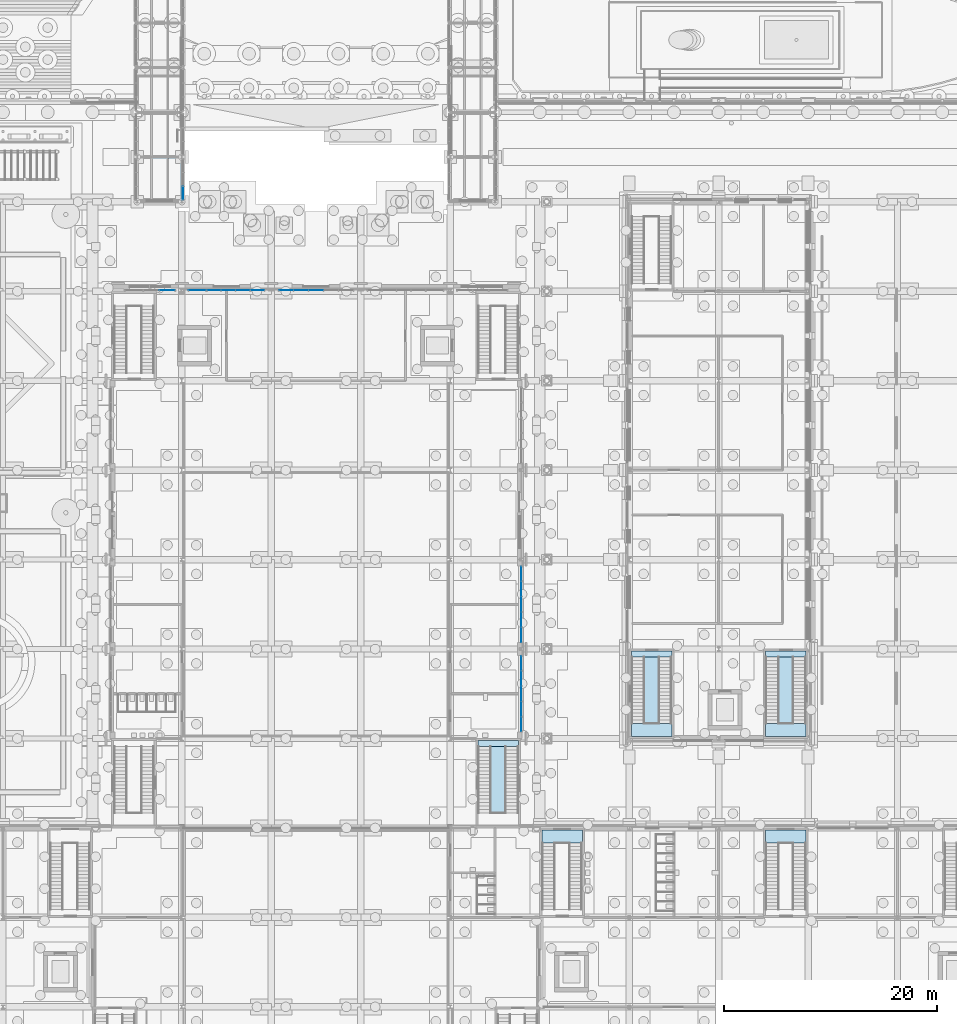
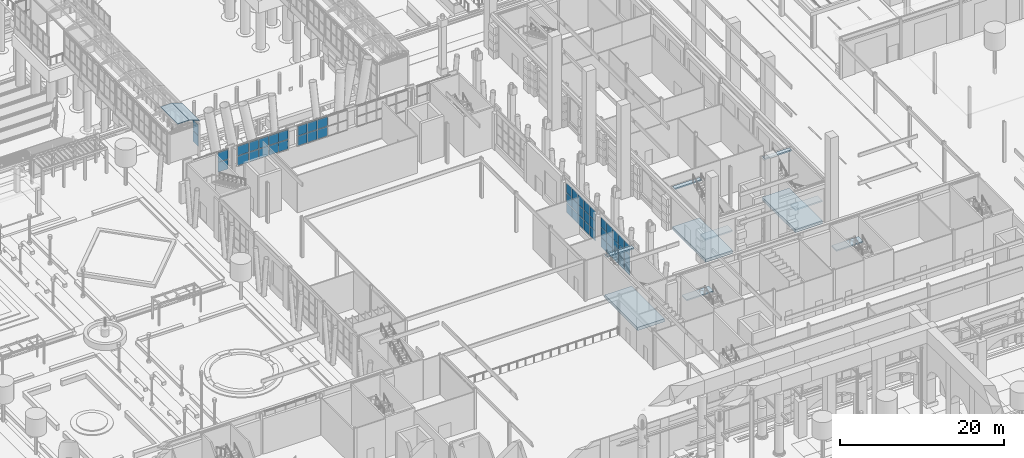
# One storey, part 79 of 222: 50 plates, 12 slabs, 12 elements without a shape of their own.
"""IFC4 building model written with IfcOpenShell, lengths in metres."""

from ifc_helpers import new_model, si_unit, direction, frame, origin, origin_2d, place, context, subcontext, project, spatial, polyline, rectangle, outline, extrude, material, layer, layer_set, type_object, element, aggregate, save


model = new_model("IFC4")

# Units and contexts
model_context = context("Model", 3, precision=1e-05, world=origin(), true_north=direction((0.0, 1.0)))
body_context = subcontext(model_context, "Body", "Model", "MODEL_VIEW")
ifc_project = project(units=[si_unit("LENGTHUNIT", "METRE"), si_unit("AREAUNIT", "SQUARE_METRE"), si_unit("VOLUMEUNIT", "CUBIC_METRE"), si_unit("PLANEANGLEUNIT", "RADIAN"), si_unit("MASSUNIT", "GRAM", prefix="KILO")], contexts=[model_context])

# Site, building, storey
site_placement = place(None, origin())
site = spatial("IfcSite", under=ifc_project, at=site_placement, CompositionType="ELEMENT")
building_placement = place(site_placement, origin())
building = spatial("IfcBuilding", under=site, at=building_placement, Name="Sava Quay Ferry Terminal", CompositionType="ELEMENT")
storey_placement = place(building_placement, origin())
storey = spatial("IfcBuildingStorey", under=building, at=storey_placement, Name="L00", CompositionType="ELEMENT", Elevation=0.0)

# Curtain wall, plates
ifc_material_1 = material(Name="Aluminium and glass curtain wall, double glazed", Category="aluminium")
curtain_wall_type_1 = type_object("IfcCurtainWallType", Name="Curtain wall CW-B gallery", PredefinedType="NOTDEFINED", material=ifc_material_1)
curtain_wall_1_placement = place(storey_placement, origin())
curtain_wall_1 = element("IfcCurtainWall", 1, at=curtain_wall_1_placement, inside=storey, type_object=curtain_wall_type_1, Name="Curtain wall B1-E L00 bay 1", PredefinedType="NOTDEFINED")
ifc_material_2 = material(Name="Laminated glass, double glazed unit", Category="glass")
ifc_layer_1 = layer(ifc_material_2, 0.02392578125)
ifc_layer_set_1 = layer_set([ifc_layer_1], Name="Laminated glass, double glazed unit")
plate_type_1 = type_object("IfcPlateType", Name="Glass panel 24 double", PredefinedType="CURTAIN_PANEL", material=ifc_layer_set_1)
plate_1_placement = place(storey_placement, frame((50.5, 110.012451171875, 0.9501953125), z_axis=(0.0, 0.0, 1.0), x_axis=(0.0, 1.0, 0.0)))
plate_1 = element("IfcPlate", 2, at=plate_1_placement, type_object=plate_type_1, Name="CW1 panel 1.1", PredefinedType="CURTAIN_PANEL", context=body_context, shape_type="SweptSolid", body=[
    extrude(rectangle(XDim=1.22509765625, YDim=0.02392578125, at=origin_2d()), origin(), (0.0, 0.0, 1.0), 1.574951171875),
])
plate_2_placement = place(storey_placement, frame((50.5, 110.012451171875, 2.5751953125), z_axis=(0.0, 0.0, 1.0), x_axis=(0.0, 1.0, 0.0)))
plate_2 = element("IfcPlate", 3, at=plate_2_placement, type_object=plate_type_1, Name="CW1 panel 1.2", PredefinedType="CURTAIN_PANEL", context=body_context, shape_type="SweptSolid", body=[
    extrude(rectangle(XDim=1.22509765625, YDim=0.02392578125, at=origin_2d()), origin(), (0.0, 0.0, 1.0), 1.574951171875),
])
aggregate(curtain_wall_1, [plate_1, plate_2])

ifc_material_3 = material(Name="Aluminium and glass curtain wall, double low-e glazed", Category="aluminium")
curtain_wall_type_2 = type_object("IfcCurtainWallType", Name="Curtain wall CW-F flank", PredefinedType="NOTDEFINED", material=ifc_material_3)
curtain_wall_2_placement = place(storey_placement, origin())
curtain_wall_2 = element("IfcCurtainWall", 4, at=curtain_wall_2_placement, inside=storey, type_object=curtain_wall_type_2, Name="Curtain wall D-E L00 bay 2", PredefinedType="NOTDEFINED")
ifc_material_4 = material(Name="Laminated glass, double low-e glazed unit", Category="glass")
ifc_layer_2 = layer(ifc_material_4, 0.028076171875)
ifc_layer_set_2 = layer_set([ifc_layer_2], Name="Laminated glass, double low-e glazed unit")
plate_type_2 = type_object("IfcPlateType", Name="Glass panel 28 double low-e", PredefinedType="CURTAIN_PANEL", material=ifc_layer_set_2)
plate_3_placement = place(storey_placement, frame((82.27490234375, 60.135009765625, 0.9501953125), z_axis=(0.0, 0.0, 1.0), x_axis=(0.0, 1.0, 0.0)))
plate_3 = element("IfcPlate", 5, at=plate_3_placement, type_object=plate_type_2, Name="CW40 panel 1.1", PredefinedType="CURTAIN_PANEL", context=body_context, shape_type="SweptSolid", body=[
    extrude(rectangle(XDim=1.35009765625, YDim=0.028076171875, at=origin_2d()), origin(), (0.0, 0.0, 1.0), 1.425048828125),
])
plate_4_placement = place(storey_placement, frame((82.27490234375, 60.135009765625, 2.4248046875), z_axis=(0.0, 0.0, 1.0), x_axis=(0.0, 1.0, 0.0)))
plate_4 = element("IfcPlate", 6, at=plate_4_placement, type_object=plate_type_2, Name="CW40 panel 1.2", PredefinedType="CURTAIN_PANEL", context=body_context, shape_type="SweptSolid", body=[
    extrude(rectangle(XDim=1.35009765625, YDim=0.028076171875, at=origin_2d()), origin(), (0.0, 0.0, 1.0), 1.449951171875),
])
plate_5_placement = place(storey_placement, frame((82.27490234375, 60.135009765625, 3.9248046875), z_axis=(0.0, 0.0, 1.0), x_axis=(0.0, 1.0, 0.0)))
plate_5 = element("IfcPlate", 7, at=plate_5_placement, type_object=plate_type_2, Name="CW40 panel 1.3", PredefinedType="CURTAIN_PANEL", context=body_context, shape_type="SweptSolid", body=[
    extrude(rectangle(XDim=1.35009765625, YDim=0.028076171875, at=origin_2d()), origin(), (0.0, 0.0, 1.0), 1.425048828125),
])
plate_6_placement = place(storey_placement, frame((82.27490234375, 61.56005859375, 0.9501953125), z_axis=(0.0, 0.0, 1.0), x_axis=(0.0, 1.0, 0.0)))
plate_6 = element("IfcPlate", 8, at=plate_6_placement, type_object=plate_type_2, Name="CW40 panel 2.1", PredefinedType="CURTAIN_PANEL", context=body_context, shape_type="SweptSolid", body=[
    extrude(rectangle(XDim=1.3798828125, YDim=0.028076171875, at=origin_2d()), origin(), (0.0, 0.0, 1.0), 1.425048828125),
])
plate_7_placement = place(storey_placement, frame((82.27490234375, 61.56005859375, 2.4248046875), z_axis=(0.0, 0.0, 1.0), x_axis=(0.0, 1.0, 0.0)))
plate_7 = element("IfcPlate", 9, at=plate_7_placement, type_object=plate_type_2, Name="CW40 panel 2.2", PredefinedType="CURTAIN_PANEL", context=body_context, shape_type="SweptSolid", body=[
    extrude(rectangle(XDim=1.3798828125, YDim=0.028076171875, at=origin_2d()), origin(), (0.0, 0.0, 1.0), 1.449951171875),
])
plate_8_placement = place(storey_placement, frame((82.27490234375, 61.56005859375, 3.9248046875), z_axis=(0.0, 0.0, 1.0), x_axis=(0.0, 1.0, 0.0)))
plate_8 = element("IfcPlate", 10, at=plate_8_placement, type_object=plate_type_2, Name="CW40 panel 2.3", PredefinedType="CURTAIN_PANEL", context=body_context, shape_type="SweptSolid", body=[
    extrude(rectangle(XDim=1.3798828125, YDim=0.028076171875, at=origin_2d()), origin(), (0.0, 0.0, 1.0), 1.425048828125),
])
plate_9_placement = place(storey_placement, frame((82.27490234375, 63.0, 0.9501953125), z_axis=(0.0, 0.0, 1.0), x_axis=(0.0, 1.0, 0.0)))
plate_9 = element("IfcPlate", 11, at=plate_9_placement, type_object=plate_type_2, Name="CW40 panel 3.1", PredefinedType="CURTAIN_PANEL", context=body_context, shape_type="SweptSolid", body=[
    extrude(rectangle(XDim=1.3798828125, YDim=0.028076171875, at=origin_2d()), origin(), (0.0, 0.0, 1.0), 1.425048828125),
])
plate_10_placement = place(storey_placement, frame((82.27490234375, 63.0, 2.4248046875), z_axis=(0.0, 0.0, 1.0), x_axis=(0.0, 1.0, 0.0)))
plate_10 = element("IfcPlate", 12, at=plate_10_placement, type_object=plate_type_2, Name="CW40 panel 3.2", PredefinedType="CURTAIN_PANEL", context=body_context, shape_type="SweptSolid", body=[
    extrude(rectangle(XDim=1.3798828125, YDim=0.028076171875, at=origin_2d()), origin(), (0.0, 0.0, 1.0), 1.449951171875),
])
plate_11_placement = place(storey_placement, frame((82.27490234375, 63.0, 3.9248046875), z_axis=(0.0, 0.0, 1.0), x_axis=(0.0, 1.0, 0.0)))
plate_11 = element("IfcPlate", 13, at=plate_11_placement, type_object=plate_type_2, Name="CW40 panel 3.3", PredefinedType="CURTAIN_PANEL", context=body_context, shape_type="SweptSolid", body=[
    extrude(rectangle(XDim=1.3798828125, YDim=0.028076171875, at=origin_2d()), origin(), (0.0, 0.0, 1.0), 1.425048828125),
])
plate_12_placement = place(storey_placement, frame((82.27490234375, 64.43994140625, 0.9501953125), z_axis=(0.0, 0.0, 1.0), x_axis=(0.0, 1.0, 0.0)))
plate_12 = element("IfcPlate", 14, at=plate_12_placement, type_object=plate_type_2, Name="CW40 panel 4.1", PredefinedType="CURTAIN_PANEL", context=body_context, shape_type="SweptSolid", body=[
    extrude(rectangle(XDim=1.3798828125, YDim=0.028076171875, at=origin_2d()), origin(), (0.0, 0.0, 1.0), 1.425048828125),
])
plate_13_placement = place(storey_placement, frame((82.27490234375, 64.43994140625, 2.4248046875), z_axis=(0.0, 0.0, 1.0), x_axis=(0.0, 1.0, 0.0)))
plate_13 = element("IfcPlate", 15, at=plate_13_placement, type_object=plate_type_2, Name="CW40 panel 4.2", PredefinedType="CURTAIN_PANEL", context=body_context, shape_type="SweptSolid", body=[
    extrude(rectangle(XDim=1.3798828125, YDim=0.028076171875, at=origin_2d()), origin(), (0.0, 0.0, 1.0), 1.449951171875),
])
plate_14_placement = place(storey_placement, frame((82.27490234375, 64.43994140625, 3.9248046875), z_axis=(0.0, 0.0, 1.0), x_axis=(0.0, 1.0, 0.0)))
plate_14 = element("IfcPlate", 16, at=plate_14_placement, type_object=plate_type_2, Name="CW40 panel 4.3", PredefinedType="CURTAIN_PANEL", context=body_context, shape_type="SweptSolid", body=[
    extrude(rectangle(XDim=1.3798828125, YDim=0.028076171875, at=origin_2d()), origin(), (0.0, 0.0, 1.0), 1.425048828125),
])
plate_15_placement = place(storey_placement, frame((82.27490234375, 65.864990234375, 0.9501953125), z_axis=(0.0, 0.0, 1.0), x_axis=(0.0, 1.0, 0.0)))
plate_15 = element("IfcPlate", 17, at=plate_15_placement, type_object=plate_type_2, Name="CW40 panel 5.1", PredefinedType="CURTAIN_PANEL", context=body_context, shape_type="SweptSolid", body=[
    extrude(rectangle(XDim=1.35009765625, YDim=0.028076171875, at=origin_2d()), origin(), (0.0, 0.0, 1.0), 1.425048828125),
])
plate_16_placement = place(storey_placement, frame((82.27490234375, 65.864990234375, 2.4248046875), z_axis=(0.0, 0.0, 1.0), x_axis=(0.0, 1.0, 0.0)))
plate_16 = element("IfcPlate", 18, at=plate_16_placement, type_object=plate_type_2, Name="CW40 panel 5.2", PredefinedType="CURTAIN_PANEL", context=body_context, shape_type="SweptSolid", body=[
    extrude(rectangle(XDim=1.35009765625, YDim=0.028076171875, at=origin_2d()), origin(), (0.0, 0.0, 1.0), 1.449951171875),
])
plate_17_placement = place(storey_placement, frame((82.27490234375, 65.864990234375, 3.9248046875), z_axis=(0.0, 0.0, 1.0), x_axis=(0.0, 1.0, 0.0)))
plate_17 = element("IfcPlate", 19, at=plate_17_placement, type_object=plate_type_2, Name="CW40 panel 5.3", PredefinedType="CURTAIN_PANEL", context=body_context, shape_type="SweptSolid", body=[
    extrude(rectangle(XDim=1.35009765625, YDim=0.028076171875, at=origin_2d()), origin(), (0.0, 0.0, 1.0), 1.425048828125),
])
aggregate(curtain_wall_2, [plate_3, plate_4, plate_5, plate_6, plate_7, plate_8, plate_9, plate_10, plate_11, plate_12, plate_13, plate_14, plate_15, plate_16, plate_17])

curtain_wall_3_placement = place(storey_placement, origin())
curtain_wall_3 = element("IfcCurtainWall", 20, at=curtain_wall_3_placement, inside=storey, type_object=curtain_wall_type_2, Name="Curtain wall D-E L00 bay 3", PredefinedType="NOTDEFINED")
plate_18_placement = place(storey_placement, frame((82.27490234375, 68.534912109375, 0.9501953125), z_axis=(0.0, 0.0, 1.0), x_axis=(0.0, 1.0, 0.0)))
plate_18 = element("IfcPlate", 21, at=plate_18_placement, type_object=plate_type_2, Name="CW44 panel 1.1", PredefinedType="CURTAIN_PANEL", context=body_context, shape_type="SweptSolid", body=[
    extrude(rectangle(XDim=1.35009765625, YDim=0.028076171875, at=origin_2d()), origin(), (0.0, 0.0, 1.0), 1.425048828125),
])
plate_19_placement = place(storey_placement, frame((82.27490234375, 68.534912109375, 2.4248046875), z_axis=(0.0, 0.0, 1.0), x_axis=(0.0, 1.0, 0.0)))
plate_19 = element("IfcPlate", 22, at=plate_19_placement, type_object=plate_type_2, Name="CW44 panel 1.2", PredefinedType="CURTAIN_PANEL", context=body_context, shape_type="SweptSolid", body=[
    extrude(rectangle(XDim=1.35009765625, YDim=0.028076171875, at=origin_2d()), origin(), (0.0, 0.0, 1.0), 1.449951171875),
])
plate_20_placement = place(storey_placement, frame((82.27490234375, 68.534912109375, 3.9248046875), z_axis=(0.0, 0.0, 1.0), x_axis=(0.0, 1.0, 0.0)))
plate_20 = element("IfcPlate", 23, at=plate_20_placement, type_object=plate_type_2, Name="CW44 panel 1.3", PredefinedType="CURTAIN_PANEL", context=body_context, shape_type="SweptSolid", body=[
    extrude(rectangle(XDim=1.35009765625, YDim=0.028076171875, at=origin_2d()), origin(), (0.0, 0.0, 1.0), 1.425048828125),
])
plate_21_placement = place(storey_placement, frame((82.27490234375, 69.9599609375, 0.9501953125), z_axis=(0.0, 0.0, 1.0), x_axis=(0.0, 1.0, 0.0)))
plate_21 = element("IfcPlate", 24, at=plate_21_placement, type_object=plate_type_2, Name="CW44 panel 2.1", PredefinedType="CURTAIN_PANEL", context=body_context, shape_type="SweptSolid", body=[
    extrude(rectangle(XDim=1.3798828125, YDim=0.028076171875, at=origin_2d()), origin(), (0.0, 0.0, 1.0), 1.425048828125),
])
plate_22_placement = place(storey_placement, frame((82.27490234375, 69.9599609375, 2.4248046875), z_axis=(0.0, 0.0, 1.0), x_axis=(0.0, 1.0, 0.0)))
plate_22 = element("IfcPlate", 25, at=plate_22_placement, type_object=plate_type_2, Name="CW44 panel 2.2", PredefinedType="CURTAIN_PANEL", context=body_context, shape_type="SweptSolid", body=[
    extrude(rectangle(XDim=1.3798828125, YDim=0.028076171875, at=origin_2d()), origin(), (0.0, 0.0, 1.0), 1.449951171875),
])
plate_23_placement = place(storey_placement, frame((82.27490234375, 69.9599609375, 3.9248046875), z_axis=(0.0, 0.0, 1.0), x_axis=(0.0, 1.0, 0.0)))
plate_23 = element("IfcPlate", 26, at=plate_23_placement, type_object=plate_type_2, Name="CW44 panel 2.3", PredefinedType="CURTAIN_PANEL", context=body_context, shape_type="SweptSolid", body=[
    extrude(rectangle(XDim=1.3798828125, YDim=0.028076171875, at=origin_2d()), origin(), (0.0, 0.0, 1.0), 1.425048828125),
])
plate_24_placement = place(storey_placement, frame((82.27490234375, 71.39990234375, 0.9501953125), z_axis=(0.0, 0.0, 1.0), x_axis=(0.0, 1.0, 0.0)))
plate_24 = element("IfcPlate", 27, at=plate_24_placement, type_object=plate_type_2, Name="CW44 panel 3.1", PredefinedType="CURTAIN_PANEL", context=body_context, shape_type="SweptSolid", body=[
    extrude(rectangle(XDim=1.3798828125, YDim=0.028076171875, at=origin_2d()), origin(), (0.0, 0.0, 1.0), 1.425048828125),
])
plate_25_placement = place(storey_placement, frame((82.27490234375, 71.39990234375, 2.4248046875), z_axis=(0.0, 0.0, 1.0), x_axis=(0.0, 1.0, 0.0)))
plate_25 = element("IfcPlate", 28, at=plate_25_placement, type_object=plate_type_2, Name="CW44 panel 3.2", PredefinedType="CURTAIN_PANEL", context=body_context, shape_type="SweptSolid", body=[
    extrude(rectangle(XDim=1.3798828125, YDim=0.028076171875, at=origin_2d()), origin(), (0.0, 0.0, 1.0), 1.449951171875),
])
plate_26_placement = place(storey_placement, frame((82.27490234375, 71.39990234375, 3.9248046875), z_axis=(0.0, 0.0, 1.0), x_axis=(0.0, 1.0, 0.0)))
plate_26 = element("IfcPlate", 29, at=plate_26_placement, type_object=plate_type_2, Name="CW44 panel 3.3", PredefinedType="CURTAIN_PANEL", context=body_context, shape_type="SweptSolid", body=[
    extrude(rectangle(XDim=1.3798828125, YDim=0.028076171875, at=origin_2d()), origin(), (0.0, 0.0, 1.0), 1.425048828125),
])
plate_27_placement = place(storey_placement, frame((82.27490234375, 72.840087890625, 0.9501953125), z_axis=(0.0, 0.0, 1.0), x_axis=(0.0, 1.0, 0.0)))
plate_27 = element("IfcPlate", 30, at=plate_27_placement, type_object=plate_type_2, Name="CW44 panel 4.1", PredefinedType="CURTAIN_PANEL", context=body_context, shape_type="SweptSolid", body=[
    extrude(rectangle(XDim=1.3798828125, YDim=0.028076171875, at=origin_2d()), origin(), (0.0, 0.0, 1.0), 1.425048828125),
])
plate_28_placement = place(storey_placement, frame((82.27490234375, 72.840087890625, 2.4248046875), z_axis=(0.0, 0.0, 1.0), x_axis=(0.0, 1.0, 0.0)))
plate_28 = element("IfcPlate", 31, at=plate_28_placement, type_object=plate_type_2, Name="CW44 panel 4.2", PredefinedType="CURTAIN_PANEL", context=body_context, shape_type="SweptSolid", body=[
    extrude(rectangle(XDim=1.3798828125, YDim=0.028076171875, at=origin_2d()), origin(), (0.0, 0.0, 1.0), 1.449951171875),
])
plate_29_placement = place(storey_placement, frame((82.27490234375, 72.840087890625, 3.9248046875), z_axis=(0.0, 0.0, 1.0), x_axis=(0.0, 1.0, 0.0)))
plate_29 = element("IfcPlate", 32, at=plate_29_placement, type_object=plate_type_2, Name="CW44 panel 4.3", PredefinedType="CURTAIN_PANEL", context=body_context, shape_type="SweptSolid", body=[
    extrude(rectangle(XDim=1.3798828125, YDim=0.028076171875, at=origin_2d()), origin(), (0.0, 0.0, 1.0), 1.425048828125),
])
plate_30_placement = place(storey_placement, frame((82.27490234375, 74.264892578125, 0.9501953125), z_axis=(0.0, 0.0, 1.0), x_axis=(0.0, 1.0, 0.0)))
plate_30 = element("IfcPlate", 33, at=plate_30_placement, type_object=plate_type_2, Name="CW44 panel 5.1", PredefinedType="CURTAIN_PANEL", context=body_context, shape_type="SweptSolid", body=[
    extrude(rectangle(XDim=1.35009765625, YDim=0.028076171875, at=origin_2d()), origin(), (0.0, 0.0, 1.0), 1.425048828125),
])
plate_31_placement = place(storey_placement, frame((82.27490234375, 74.264892578125, 2.4248046875), z_axis=(0.0, 0.0, 1.0), x_axis=(0.0, 1.0, 0.0)))
plate_31 = element("IfcPlate", 34, at=plate_31_placement, type_object=plate_type_2, Name="CW44 panel 5.2", PredefinedType="CURTAIN_PANEL", context=body_context, shape_type="SweptSolid", body=[
    extrude(rectangle(XDim=1.35009765625, YDim=0.028076171875, at=origin_2d()), origin(), (0.0, 0.0, 1.0), 1.449951171875),
])
plate_32_placement = place(storey_placement, frame((82.27490234375, 74.264892578125, 3.9248046875), z_axis=(0.0, 0.0, 1.0), x_axis=(0.0, 1.0, 0.0)))
plate_32 = element("IfcPlate", 35, at=plate_32_placement, type_object=plate_type_2, Name="CW44 panel 5.3", PredefinedType="CURTAIN_PANEL", context=body_context, shape_type="SweptSolid", body=[
    extrude(rectangle(XDim=1.35009765625, YDim=0.028076171875, at=origin_2d()), origin(), (0.0, 0.0, 1.0), 1.425048828125),
])
aggregate(curtain_wall_3, [plate_18, plate_19, plate_20, plate_21, plate_22, plate_23, plate_24, plate_25, plate_26, plate_27, plate_28, plate_29, plate_30, plate_31, plate_32])

ifc_material_5 = material(Name="Aluminium and glass curtain wall, double low-e glazed", Category="aluminium")
curtain_wall_type_3 = type_object("IfcCurtainWallType", Name="Curtain wall CW-G gable", PredefinedType="NOTDEFINED", material=ifc_material_5)
curtain_wall_4_placement = place(storey_placement, origin())
curtain_wall_4 = element("IfcCurtainWall", 36, at=curtain_wall_4_placement, inside=storey, type_object=curtain_wall_type_3, Name="Curtain wall D-N L00 bay 11", PredefinedType="NOTDEFINED")
plate_33_placement = place(storey_placement, frame((49.030029296875, 100.885009765625, 3.0498046875), z_axis=(0.0, 0.0, 1.0), x_axis=(1.0, 0.0, 0.0)))
plate_33 = element("IfcPlate", 37, at=plate_33_placement, type_object=plate_type_2, Name="CW57 panel 2.1", PredefinedType="CURTAIN_PANEL", context=body_context, shape_type="SweptSolid", body=[
    extrude(rectangle(XDim=1.419921875, YDim=0.028076171875, at=origin_2d()), origin(), (0.0, 0.0, 1.0), 1.425048828125),
])
plate_34_placement = place(storey_placement, frame((49.030029296875, 100.885009765625, 4.52490234375), z_axis=(0.0, 0.0, 1.0), x_axis=(1.0, 0.0, 0.0)))
plate_34 = element("IfcPlate", 38, at=plate_34_placement, type_object=plate_type_2, Name="CW57 panel 2.2", PredefinedType="CURTAIN_PANEL", context=body_context, shape_type="SweptSolid", body=[
    extrude(rectangle(XDim=1.419921875, YDim=0.028076171875, at=origin_2d()), origin(), (0.0, 0.0, 1.0), 1.425048828125),
])
aggregate(curtain_wall_4, [plate_33, plate_34])

curtain_wall_5_placement = place(storey_placement, origin())
curtain_wall_5 = element("IfcCurtainWall", 39, at=curtain_wall_5_placement, inside=storey, type_object=curtain_wall_type_3, Name="Curtain wall D-N L00 bay 12", PredefinedType="NOTDEFINED")
plate_35_placement = place(storey_placement, frame((51.85009765625, 100.885009765625, 3.0498046875), z_axis=(0.0, 0.0, 1.0), x_axis=(1.0, 0.0, 0.0)))
plate_35 = element("IfcPlate", 40, at=plate_35_placement, type_object=plate_type_2, Name="CW61 panel 1.1", PredefinedType="CURTAIN_PANEL", context=body_context, shape_type="SweptSolid", body=[
    extrude(rectangle(XDim=1.580078125, YDim=0.028076171875, at=origin_2d()), origin(), (0.0, 0.0, 1.0), 1.425048828125),
])
plate_36_placement = place(storey_placement, frame((51.85009765625, 100.885009765625, 4.52490234375), z_axis=(0.0, 0.0, 1.0), x_axis=(1.0, 0.0, 0.0)))
plate_36 = element("IfcPlate", 41, at=plate_36_placement, type_object=plate_type_2, Name="CW61 panel 1.2", PredefinedType="CURTAIN_PANEL", context=body_context, shape_type="SweptSolid", body=[
    extrude(rectangle(XDim=1.580078125, YDim=0.028076171875, at=origin_2d()), origin(), (0.0, 0.0, 1.0), 1.425048828125),
])
aggregate(curtain_wall_5, [plate_35, plate_36])

curtain_wall_6_placement = place(storey_placement, origin())
curtain_wall_6 = element("IfcCurtainWall", 42, at=curtain_wall_6_placement, inside=storey, type_object=curtain_wall_type_3, Name="Curtain wall D-N L00 bay 21", PredefinedType="NOTDEFINED")
plate_37_placement = place(storey_placement, frame((53.402587890625, 100.885009765625, 3.0498046875), z_axis=(0.0, 0.0, 1.0), x_axis=(1.0, 0.0, 0.0)))
plate_37 = element("IfcPlate", 43, at=plate_37_placement, type_object=plate_type_2, Name="CW65 panel 1.1", PredefinedType="CURTAIN_PANEL", context=body_context, shape_type="SweptSolid", body=[
    extrude(rectangle(XDim=1.284912109375, YDim=0.028076171875, at=origin_2d()), origin(), (0.0, 0.0, 1.0), 1.425048828125),
])
plate_38_placement = place(storey_placement, frame((53.402587890625, 100.885009765625, 4.52490234375), z_axis=(0.0, 0.0, 1.0), x_axis=(1.0, 0.0, 0.0)))
plate_38 = element("IfcPlate", 44, at=plate_38_placement, type_object=plate_type_2, Name="CW65 panel 1.2", PredefinedType="CURTAIN_PANEL", context=body_context, shape_type="SweptSolid", body=[
    extrude(rectangle(XDim=1.284912109375, YDim=0.028076171875, at=origin_2d()), origin(), (0.0, 0.0, 1.0), 1.425048828125),
])
plate_39_placement = place(storey_placement, frame((54.762451171875, 100.885009765625, 3.0498046875), z_axis=(0.0, 0.0, 1.0), x_axis=(1.0, 0.0, 0.0)))
plate_39 = element("IfcPlate", 45, at=plate_39_placement, type_object=plate_type_2, Name="CW65 panel 2.1", PredefinedType="CURTAIN_PANEL", context=body_context, shape_type="SweptSolid", body=[
    extrude(rectangle(XDim=1.31494140625, YDim=0.028076171875, at=origin_2d()), origin(), (0.0, 0.0, 1.0), 1.425048828125),
])
plate_40_placement = place(storey_placement, frame((54.762451171875, 100.885009765625, 4.52490234375), z_axis=(0.0, 0.0, 1.0), x_axis=(1.0, 0.0, 0.0)))
plate_40 = element("IfcPlate", 46, at=plate_40_placement, type_object=plate_type_2, Name="CW65 panel 2.2", PredefinedType="CURTAIN_PANEL", context=body_context, shape_type="SweptSolid", body=[
    extrude(rectangle(XDim=1.31494140625, YDim=0.028076171875, at=origin_2d()), origin(), (0.0, 0.0, 1.0), 1.425048828125),
])
plate_41_placement = place(storey_placement, frame((56.137451171875, 100.885009765625, 3.0498046875), z_axis=(0.0, 0.0, 1.0), x_axis=(1.0, 0.0, 0.0)))
plate_41 = element("IfcPlate", 47, at=plate_41_placement, type_object=plate_type_2, Name="CW65 panel 3.1", PredefinedType="CURTAIN_PANEL", context=body_context, shape_type="SweptSolid", body=[
    extrude(rectangle(XDim=1.31494140625, YDim=0.028076171875, at=origin_2d()), origin(), (0.0, 0.0, 1.0), 1.425048828125),
])
plate_42_placement = place(storey_placement, frame((56.137451171875, 100.885009765625, 4.52490234375), z_axis=(0.0, 0.0, 1.0), x_axis=(1.0, 0.0, 0.0)))
plate_42 = element("IfcPlate", 48, at=plate_42_placement, type_object=plate_type_2, Name="CW65 panel 3.2", PredefinedType="CURTAIN_PANEL", context=body_context, shape_type="SweptSolid", body=[
    extrude(rectangle(XDim=1.31494140625, YDim=0.028076171875, at=origin_2d()), origin(), (0.0, 0.0, 1.0), 1.425048828125),
])
plate_43_placement = place(storey_placement, frame((57.49755859375, 100.885009765625, 3.0498046875), z_axis=(0.0, 0.0, 1.0), x_axis=(1.0, 0.0, 0.0)))
plate_43 = element("IfcPlate", 49, at=plate_43_placement, type_object=plate_type_2, Name="CW65 panel 4.1", PredefinedType="CURTAIN_PANEL", context=body_context, shape_type="SweptSolid", body=[
    extrude(rectangle(XDim=1.284912109375, YDim=0.028076171875, at=origin_2d()), origin(), (0.0, 0.0, 1.0), 1.425048828125),
])
plate_44_placement = place(storey_placement, frame((57.49755859375, 100.885009765625, 4.52490234375), z_axis=(0.0, 0.0, 1.0), x_axis=(1.0, 0.0, 0.0)))
plate_44 = element("IfcPlate", 50, at=plate_44_placement, type_object=plate_type_2, Name="CW65 panel 4.2", PredefinedType="CURTAIN_PANEL", context=body_context, shape_type="SweptSolid", body=[
    extrude(rectangle(XDim=1.284912109375, YDim=0.028076171875, at=origin_2d()), origin(), (0.0, 0.0, 1.0), 1.425048828125),
])
aggregate(curtain_wall_6, [plate_37, plate_38, plate_39, plate_40, plate_41, plate_42, plate_43, plate_44])

curtain_wall_7_placement = place(storey_placement, origin())
curtain_wall_7 = element("IfcCurtainWall", 51, at=curtain_wall_7_placement, inside=storey, type_object=curtain_wall_type_3, Name="Curtain wall D-N L00 bay 31", PredefinedType="NOTDEFINED")
plate_45_placement = place(storey_placement, frame((60.19091796875, 100.885009765625, 3.0498046875), z_axis=(0.0, 0.0, 1.0), x_axis=(1.0, 0.0, 0.0)))
plate_45 = element("IfcPlate", 52, at=plate_45_placement, type_object=plate_type_2, Name="CW69 panel 1.1", PredefinedType="CURTAIN_PANEL", context=body_context, shape_type="SweptSolid", body=[
    extrude(rectangle(XDim=1.322021484375, YDim=0.028076171875, at=origin_2d()), origin(), (0.0, 0.0, 1.0), 1.425048828125),
])
plate_46_placement = place(storey_placement, frame((60.19091796875, 100.885009765625, 4.52490234375), z_axis=(0.0, 0.0, 1.0), x_axis=(1.0, 0.0, 0.0)))
plate_46 = element("IfcPlate", 53, at=plate_46_placement, type_object=plate_type_2, Name="CW69 panel 1.2", PredefinedType="CURTAIN_PANEL", context=body_context, shape_type="SweptSolid", body=[
    extrude(rectangle(XDim=1.322021484375, YDim=0.028076171875, at=origin_2d()), origin(), (0.0, 0.0, 1.0), 1.425048828125),
])
plate_47_placement = place(storey_placement, frame((61.587890625, 100.885009765625, 3.0498046875), z_axis=(0.0, 0.0, 1.0), x_axis=(1.0, 0.0, 0.0)))
plate_47 = element("IfcPlate", 54, at=plate_47_placement, type_object=plate_type_2, Name="CW69 panel 2.1", PredefinedType="CURTAIN_PANEL", context=body_context, shape_type="SweptSolid", body=[
    extrude(rectangle(XDim=1.35205078125, YDim=0.028076171875, at=origin_2d()), origin(), (0.0, 0.0, 1.0), 1.425048828125),
])
plate_48_placement = place(storey_placement, frame((61.587890625, 100.885009765625, 4.52490234375), z_axis=(0.0, 0.0, 1.0), x_axis=(1.0, 0.0, 0.0)))
plate_48 = element("IfcPlate", 55, at=plate_48_placement, type_object=plate_type_2, Name="CW69 panel 2.2", PredefinedType="CURTAIN_PANEL", context=body_context, shape_type="SweptSolid", body=[
    extrude(rectangle(XDim=1.35205078125, YDim=0.028076171875, at=origin_2d()), origin(), (0.0, 0.0, 1.0), 1.425048828125),
])
plate_49_placement = place(storey_placement, frame((63.0, 100.885009765625, 3.0498046875), z_axis=(0.0, 0.0, 1.0), x_axis=(1.0, 0.0, 0.0)))
plate_49 = element("IfcPlate", 56, at=plate_49_placement, type_object=plate_type_2, Name="CW69 panel 3.1", PredefinedType="CURTAIN_PANEL", context=body_context, shape_type="SweptSolid", body=[
    extrude(rectangle(XDim=1.35205078125, YDim=0.028076171875, at=origin_2d()), origin(), (0.0, 0.0, 1.0), 1.425048828125),
])
plate_50_placement = place(storey_placement, frame((63.0, 100.885009765625, 4.52490234375), z_axis=(0.0, 0.0, 1.0), x_axis=(1.0, 0.0, 0.0)))
plate_50 = element("IfcPlate", 57, at=plate_50_placement, type_object=plate_type_2, Name="CW69 panel 3.2", PredefinedType="CURTAIN_PANEL", context=body_context, shape_type="SweptSolid", body=[
    extrude(rectangle(XDim=1.35205078125, YDim=0.028076171875, at=origin_2d()), origin(), (0.0, 0.0, 1.0), 1.425048828125),
])
aggregate(curtain_wall_7, [plate_45, plate_46, plate_47, plate_48, plate_49, plate_50])

# Slabs
ifc_material_6 = material(Name="Concrete C40/50", Category="concrete")
ifc_layer_3 = layer(ifc_material_6, 0.449951171875)
ifc_layer_set_3 = layer_set([ifc_layer_3], Name="Concrete C40/50")
slab_type_1 = type_object("IfcSlabType", Name="RC deck slab 450", PredefinedType="FLOOR", material=ifc_layer_set_3)
slab_1_placement = place(storey_placement, frame((0.0, 0.0, -0.449951171875)))
element("IfcSlab", 58, at=slab_1_placement, inside=storey, type_object=slab_type_1, Name="Stair floor ST-D2", PredefinedType="FLOOR", context=body_context, shape_type="SweptSolid", body=[
    extrude(outline(polyline([(78.199951171875, 50.60009765625), (82.0, 50.60009765625), (82.0, 58.60009765625), (78.199951171875, 58.60009765625), (78.199951171875, 50.60009765625)])), origin(), (0.0, 0.0, 1.0), 0.449951171875),
])
slab_2_placement = place(storey_placement, frame((0.0, 0.0, -0.449951171875)))
element("IfcSlab", 59, at=slab_2_placement, inside=storey, type_object=slab_type_1, Name="Stair floor ST-O1", PredefinedType="FLOOR", context=body_context, shape_type="SweptSolid", body=[
    extrude(outline(polyline([(92.60009765625, 59.0), (96.39990234375, 59.0), (96.39990234375, 67.0), (92.60009765625, 67.0), (92.60009765625, 59.0)])), origin(), (0.0, 0.0, 1.0), 0.449951171875),
])
slab_3_placement = place(storey_placement, frame((0.0, 0.0, -0.449951171875)))
element("IfcSlab", 60, at=slab_3_placement, inside=storey, type_object=slab_type_1, Name="Stair floor ST-O2", PredefinedType="FLOOR", context=body_context, shape_type="SweptSolid", body=[
    extrude(outline(polyline([(105.199951171875, 59.0), (109.0, 59.0), (109.0, 67.0), (105.199951171875, 67.0), (105.199951171875, 59.0)])), origin(), (0.0, 0.0, 1.0), 0.449951171875),
])
ifc_material_7 = material(Name="Cross laminated timber C24", Category="wood")
ifc_layer_4 = layer(ifc_material_7, 0.10009765625)
ifc_layer_set_4 = layer_set([ifc_layer_4], Name="Cross laminated timber C24")
slab_type_2 = type_object("IfcSlabType", Name="Roof deck CLT 100", PredefinedType="ROOF", material=ifc_layer_set_4)
slab_4_placement = place(storey_placement, frame((47.498291015625, 109.2099609375, 5.4658203125), z_axis=(0.0, 0.0, 1.0), x_axis=(1.0, 0.0, 0.0)))
element("IfcSlab", 61, at=slab_4_placement, inside=storey, type_object=slab_type_2, Name="Boarding gallery B1 roof deck bay 1 facet 2", PredefinedType="ROOF", context=body_context, shape_type="SweptSolid", body=[
    extrude(outline(polyline([(0.0, 0.0), (1.603271484375, 0.0), (1.603271484375, 4.179931640625), (0.0, 4.179931640625), (0.0, 0.0)])), origin(), (0.0, 0.0, -1.0), 0.10009765625),
])
slab_5_placement = place(storey_placement, frame((49.12109375, 109.2099609375, 5.46240234375), z_axis=(0.342065251979, 0.0, 0.939676201353), x_axis=(0.939676201353, 0.0, -0.342065251979)))
element("IfcSlab", 62, at=slab_5_placement, inside=storey, type_object=slab_type_2, Name="Boarding gallery B1 roof deck bay 1 facet 3", PredefinedType="ROOF", context=body_context, shape_type="SweptSolid", body=[
    extrude(outline(polyline([(0.0, 0.0), (1.5209486168666146, 0.0), (1.5209486168666146, 4.179931640625), (0.0, 4.179931640625), (0.0, 0.0)])), origin(), (0.0, 0.0, -1.0), 0.10009765625),
])

# Stair, slab
ifc_material_8 = material(Name="Concrete C30/37", Category="concrete")
stair_type = type_object("IfcStairType", Name="Stair 1200 half landing", PredefinedType="HALF_TURN_STAIR", material=ifc_material_8)
stair_1_placement = place(storey_placement, origin())
stair_1 = element("IfcStair", 63, at=stair_1_placement, inside=storey, type_object=stair_type, Name="Stair ST-D2 L00", PredefinedType="HALF_TURN_STAIR")
ifc_material_9 = material(Name="Concrete C30/37", Category="concrete")
ifc_layer_5 = layer(ifc_material_9, 0.199951171875)
ifc_layer_set_5 = layer_set([ifc_layer_5], Name="Concrete C30/37")
slab_type_3 = type_object("IfcSlabType", Name="Stair head floor 200", PredefinedType="FLOOR", material=ifc_layer_set_5)
slab_6_placement = place(storey_placement, frame((0.0, 0.0, 5.800048828125)))
slab_6 = element("IfcSlab", 64, at=slab_6_placement, type_object=slab_type_3, Name="ST-D2 head floor L01", PredefinedType="FLOOR", context=body_context, shape_type="SweptSolid", body=[
    extrude(outline(polyline([(78.199951171875, 58.070068359375), (78.199951171875, 58.60009765625), (82.0, 58.60009765625), (82.0, 58.070068359375), (78.199951171875, 58.070068359375)])), origin(), (0.0, 0.0, 1.0), 0.199951171875),
])
aggregate(stair_1, [slab_6])

stair_2_placement = place(storey_placement, origin())
stair_2 = element("IfcStair", 65, at=stair_2_placement, inside=storey, type_object=stair_type, Name="Stair ST-O1 L00", PredefinedType="HALF_TURN_STAIR")
slab_7_placement = place(storey_placement, frame((0.0, 0.0, 5.800048828125)))
slab_7 = element("IfcSlab", 66, at=slab_7_placement, type_object=slab_type_3, Name="ST-O1 head floor L01", PredefinedType="FLOOR", context=body_context, shape_type="SweptSolid", body=[
    extrude(outline(polyline([(92.60009765625, 66.469970703125), (92.60009765625, 67.0), (96.39990234375, 67.0), (96.39990234375, 66.469970703125), (92.60009765625, 66.469970703125)])), origin(), (0.0, 0.0, 1.0), 0.199951171875),
])

stair_3_placement = place(storey_placement, origin())
stair_3 = element("IfcStair", 67, at=stair_3_placement, inside=storey, type_object=stair_type, Name="Stair ST-O2 L00", PredefinedType="HALF_TURN_STAIR")
slab_8_placement = place(storey_placement, frame((0.0, 0.0, 5.800048828125)))
slab_8 = element("IfcSlab", 68, at=slab_8_placement, type_object=slab_type_3, Name="ST-O2 head floor L01", PredefinedType="FLOOR", context=body_context, shape_type="SweptSolid", body=[
    extrude(outline(polyline([(105.199951171875, 66.469970703125), (105.199951171875, 67.0), (109.0, 67.0), (109.0, 66.469970703125), (105.199951171875, 66.469970703125)])), origin(), (0.0, 0.0, 1.0), 0.199951171875),
])

stair_4_placement = place(storey_placement, origin())
stair_4 = element("IfcStair", 69, at=stair_4_placement, inside=storey, type_object=stair_type, Name="Stair ST-P1 L00", PredefinedType="HALF_TURN_STAIR")
ifc_material_10 = material(Name="Concrete C30/37", Category="concrete")
ifc_layer_6 = layer(ifc_material_10, 0.199951171875)
ifc_layer_set_6 = layer_set([ifc_layer_6], Name="Concrete C30/37")
slab_type_4 = type_object("IfcSlabType", Name="Stair landing 200", PredefinedType="LANDING", material=ifc_layer_set_6)
slab_9_placement = place(storey_placement, frame((0.0, 0.0, 2.800048828125)))
slab_9 = element("IfcSlab", 70, at=slab_9_placement, type_object=slab_type_4, Name="ST-P1 landing 1", PredefinedType="LANDING", context=body_context, shape_type="SweptSolid", body=[
    extrude(outline(polyline([(84.199951171875, 49.0), (84.199951171875, 50.199951171875), (88.0, 50.199951171875), (88.0, 49.0), (84.199951171875, 49.0)])), origin(), (0.0, 0.0, 1.0), 0.199951171875),
])
aggregate(stair_4, [slab_9])

stair_5_placement = place(storey_placement, origin())
stair_5 = element("IfcStair", 71, at=stair_5_placement, inside=storey, type_object=stair_type, Name="Stair ST-P3 L00", PredefinedType="HALF_TURN_STAIR")
slab_10_placement = place(storey_placement, frame((0.0, 0.0, 2.800048828125)))
slab_10 = element("IfcSlab", 72, at=slab_10_placement, type_object=slab_type_4, Name="ST-P3 landing 1", PredefinedType="LANDING", context=body_context, shape_type="SweptSolid", body=[
    extrude(outline(polyline([(105.199951171875, 49.0), (105.199951171875, 50.199951171875), (109.0, 50.199951171875), (109.0, 49.0), (105.199951171875, 49.0)])), origin(), (0.0, 0.0, 1.0), 0.199951171875),
])
aggregate(stair_5, [slab_10])

# Slab
slab_11_placement = place(storey_placement, frame((0.0, 0.0, 2.800048828125)))
slab_11 = element("IfcSlab", 73, at=slab_11_placement, type_object=slab_type_4, Name="ST-O1 landing 1", PredefinedType="LANDING", context=body_context, shape_type="SweptSolid", body=[
    extrude(outline(polyline([(92.60009765625, 59.0), (92.60009765625, 60.199951171875), (96.39990234375, 60.199951171875), (96.39990234375, 59.0), (92.60009765625, 59.0)])), origin(), (0.0, 0.0, 1.0), 0.199951171875),
])

aggregate(stair_2, [slab_11, slab_7])

slab_12_placement = place(storey_placement, frame((0.0, 0.0, 2.800048828125)))
slab_12 = element("IfcSlab", 74, at=slab_12_placement, type_object=slab_type_4, Name="ST-O2 landing 1", PredefinedType="LANDING", context=body_context, shape_type="SweptSolid", body=[
    extrude(outline(polyline([(105.199951171875, 59.0), (105.199951171875, 60.199951171875), (109.0, 60.199951171875), (109.0, 59.0), (105.199951171875, 59.0)])), origin(), (0.0, 0.0, 1.0), 0.199951171875),
])

aggregate(stair_3, [slab_12, slab_8])

save(model, "model.ifc")
